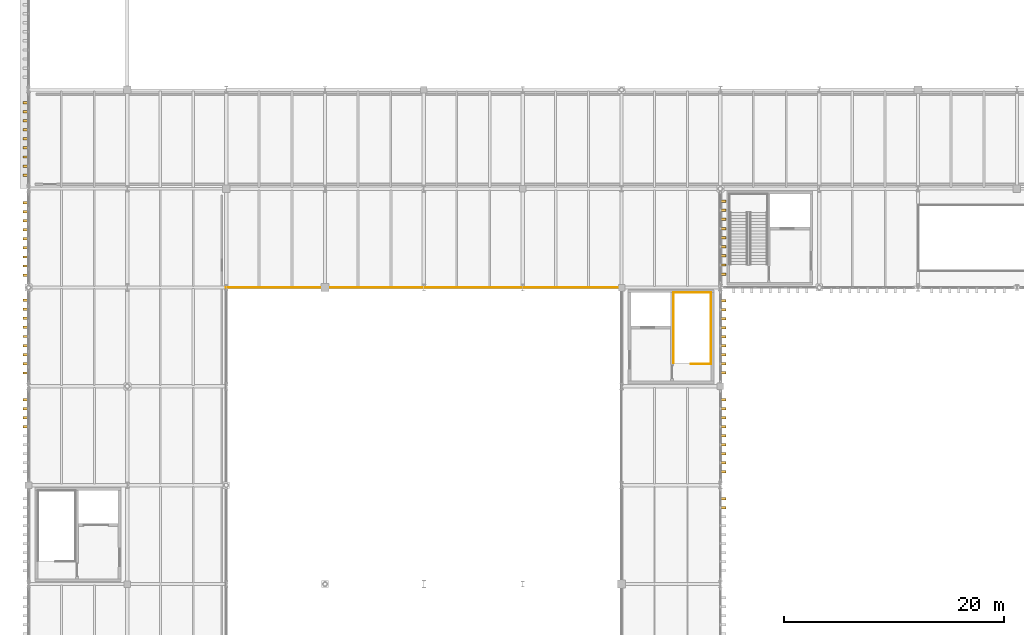
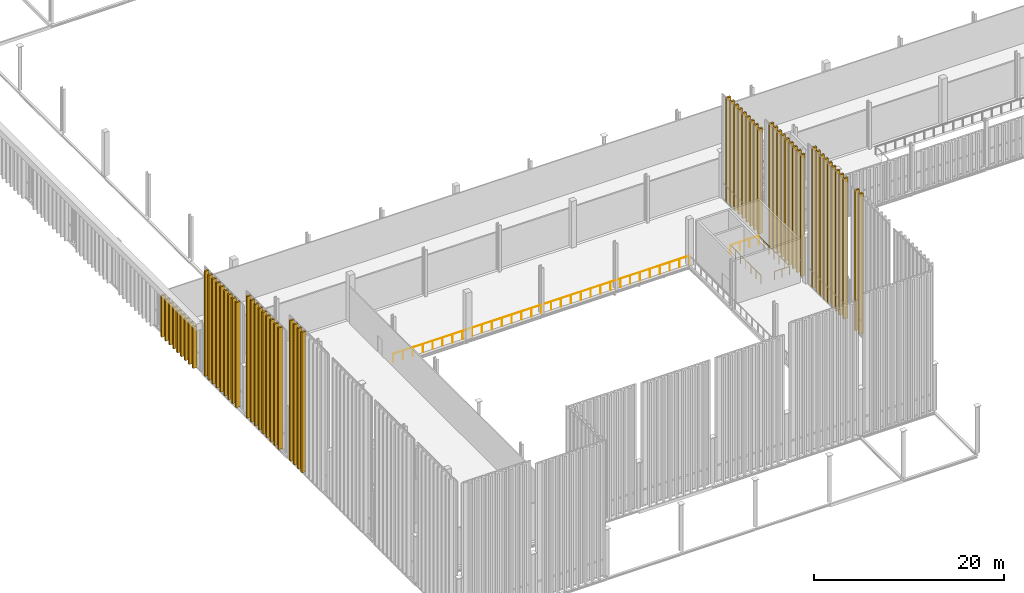
# One storey, part 214 of 237: 60 shading devices, 5 railings.
"""IFC4 building model written with IfcOpenShell, lengths in metres."""

from ifc_helpers import new_model, si_unit, direction, frame, origin, origin_2d, place, context, subcontext, project, spatial, rectangle, circle, extrude, material, type_object, element, save


model = new_model("IFC4")

# Units and contexts
model_context = context("Model", 3, precision=1e-05, world=origin(), true_north=direction((0.0, 1.0)))
body_context = subcontext(model_context, "Body", "Model", "MODEL_VIEW")
ifc_project = project(units=[si_unit("LENGTHUNIT", "METRE"), si_unit("AREAUNIT", "SQUARE_METRE"), si_unit("VOLUMEUNIT", "CUBIC_METRE"), si_unit("PLANEANGLEUNIT", "RADIAN"), si_unit("MASSUNIT", "GRAM", prefix="KILO")], contexts=[model_context])

# Site, building, storey
site_placement = place(None, origin())
site = spatial("IfcSite", under=ifc_project, at=site_placement, CompositionType="ELEMENT")
building_placement = place(site_placement, origin())
building = spatial("IfcBuilding", under=site, at=building_placement, Name="Barlavento Convention Centre", CompositionType="ELEMENT")
storey_placement = place(building_placement, frame((0.0, 0.0, 12.0)))
storey = spatial("IfcBuildingStorey", under=building, at=storey_placement, Name="L02", CompositionType="ELEMENT", Elevation=12.0)

# Railings
ifc_material_1 = material(Name="Stainless steel and laminated glass balustrade", Category="steel")
railing_type = type_object("IfcRailingType", Name="ARC-RAL-BAL-1100", PredefinedType="BALUSTRADE", material=ifc_material_1)
railing_1_placement = place(storey_placement, frame((62.14990234375, 38.0400390625, 0.0)))
element("IfcRailing", 1, at=railing_1_placement, inside=storey, type_object=railing_type, Name="L02 ST02 top well guard 1", PredefinedType="BALUSTRADE", context=body_context, shape_type="SweptSolid", body=[
    extrude(circle(Radius=0.02392578125, at=origin_2d()), frame((0.0, 0.0, 1.076171875), z_axis=(-1.0, 0.0, 0.0), x_axis=(0.0, -1.0, 0.0)), (0.0, 0.0, 1.0), 1.81982421875),
    extrude(circle(Radius=0.02099609375, at=origin_2d()), origin(), (0.0, 0.0, 1.0), 1.052001953125),
    extrude(circle(Radius=0.02099609375, at=origin_2d()), frame((-0.909912109375, 0.0, 0.0)), (0.0, 0.0, 1.0), 1.052001953125),
    extrude(circle(Radius=0.02099609375, at=origin_2d()), frame((-1.81982421875, 0.0, 0.0)), (0.0, 0.0, 1.0), 1.052001953125),
])
railing_2_placement = place(storey_placement, frame((62.14990234375, 38.114990234375, 0.0)))
element("IfcRailing", 2, at=railing_2_placement, inside=storey, type_object=railing_type, Name="L02 stairwell perimeter guard GR01", PredefinedType="BALUSTRADE", context=body_context, shape_type="SweptSolid", body=[
    extrude(circle(Radius=0.02392578125, at=origin_2d()), frame((0.0, 0.0, 1.076171875), z_axis=(0.0, 1.0, 0.0), x_axis=(-1.0, 0.0, 0.0)), (0.0, 0.0, 1.0), 6.4150390625),
    extrude(circle(Radius=0.02099609375, at=origin_2d()), origin(), (0.0, 0.0, 1.0), 1.052001953125),
    extrude(circle(Radius=0.02099609375, at=origin_2d()), frame((0.0, 1.069091796875, 0.0)), (0.0, 0.0, 1.0), 1.052001953125),
    extrude(circle(Radius=0.02099609375, at=origin_2d()), frame((0.0, 2.138427734375, 0.0)), (0.0, 0.0, 1.0), 1.052001953125),
    extrude(circle(Radius=0.02099609375, at=origin_2d()), frame((0.0, 3.20751953125, 0.0)), (0.0, 0.0, 1.0), 1.052001953125),
    extrude(circle(Radius=0.02099609375, at=origin_2d()), frame((0.0, 4.276611328125, 0.0)), (0.0, 0.0, 1.0), 1.052001953125),
    extrude(circle(Radius=0.02099609375, at=origin_2d()), frame((0.0, 5.345947265625, 0.0)), (0.0, 0.0, 1.0), 1.052001953125),
    extrude(circle(Radius=0.02099609375, at=origin_2d()), frame((0.0, 6.4150390625, 0.0)), (0.0, 0.0, 1.0), 1.052001953125),
])
railing_3_placement = place(storey_placement, frame((62.14990234375, 44.530029296875, 0.0)))
element("IfcRailing", 3, at=railing_3_placement, inside=storey, type_object=railing_type, Name="L02 stairwell perimeter guard GR01", PredefinedType="BALUSTRADE", context=body_context, shape_type="SweptSolid", body=[
    extrude(circle(Radius=0.02392578125, at=origin_2d()), frame((0.0, 0.0, 1.076171875), z_axis=(-1.0, 0.0, 0.0), x_axis=(0.0, -1.0, 0.0)), (0.0, 0.0, 1.0), 3.43994140625),
    extrude(circle(Radius=0.02099609375, at=origin_2d()), origin(), (0.0, 0.0, 1.0), 1.052001953125),
    extrude(circle(Radius=0.02099609375, at=origin_2d()), frame((-1.146728515625, 0.0, 0.0)), (0.0, 0.0, 1.0), 1.052001953125),
    extrude(circle(Radius=0.02099609375, at=origin_2d()), frame((-2.293212890625, 0.0, 0.0)), (0.0, 0.0, 1.0), 1.052001953125),
    extrude(circle(Radius=0.02099609375, at=origin_2d()), frame((-3.43994140625, 0.0, 0.0)), (0.0, 0.0, 1.0), 1.052001953125),
])
railing_4_placement = place(storey_placement, frame((58.7099609375, 44.530029296875, 0.0)))
element("IfcRailing", 4, at=railing_4_placement, inside=storey, type_object=railing_type, Name="L02 stairwell perimeter guard GR01", PredefinedType="BALUSTRADE", context=body_context, shape_type="SweptSolid", body=[
    extrude(circle(Radius=0.02392578125, at=origin_2d()), frame((0.0, 0.0, 1.076171875), z_axis=(0.0, -1.0, 0.0), x_axis=(1.0, 0.0, 0.0)), (0.0, 0.0, 1.0), 6.4150390625),
    extrude(circle(Radius=0.02099609375, at=origin_2d()), origin(), (0.0, 0.0, 1.0), 1.052001953125),
    extrude(circle(Radius=0.02099609375, at=origin_2d()), frame((0.0, -1.069091796875, 0.0)), (0.0, 0.0, 1.0), 1.052001953125),
    extrude(circle(Radius=0.02099609375, at=origin_2d()), frame((0.0, -2.138427734375, 0.0)), (0.0, 0.0, 1.0), 1.052001953125),
    extrude(circle(Radius=0.02099609375, at=origin_2d()), frame((0.0, -3.20751953125, 0.0)), (0.0, 0.0, 1.0), 1.052001953125),
    extrude(circle(Radius=0.02099609375, at=origin_2d()), frame((0.0, -4.276611328125, 0.0)), (0.0, 0.0, 1.0), 1.052001953125),
    extrude(circle(Radius=0.02099609375, at=origin_2d()), frame((0.0, -5.345947265625, 0.0)), (0.0, 0.0, 1.0), 1.052001953125),
    extrude(circle(Radius=0.02099609375, at=origin_2d()), frame((0.0, -6.4150390625, 0.0)), (0.0, 0.0, 1.0), 1.052001953125),
])
railing_5_placement = place(storey_placement, frame((18.0, 45.0, 0.0)))
element("IfcRailing", 5, at=railing_5_placement, inside=storey, type_object=railing_type, Name="L02 interior atrium or gallery balustrade GR01", PredefinedType="BALUSTRADE", context=body_context, shape_type="SweptSolid", body=[
    extrude(circle(Radius=0.02392578125, at=origin_2d()), frame((0.0, 0.0, 1.076171875), z_axis=(1.0, 0.0, 0.0), x_axis=(0.0, 1.0, 0.0)), (0.0, 0.0, 1.0), 36.0),
    extrude(circle(Radius=0.02099609375, at=origin_2d()), origin(), (0.0, 0.0, 1.0), 1.052001953125),
    extrude(circle(Radius=0.02099609375, at=origin_2d()), frame((1.199951171875, 0.0, 0.0)), (0.0, 0.0, 1.0), 1.052001953125),
    extrude(circle(Radius=0.02099609375, at=origin_2d()), frame((2.39990234375, 0.0, 0.0)), (0.0, 0.0, 1.0), 1.052001953125),
    extrude(circle(Radius=0.02099609375, at=origin_2d()), frame((3.60009765625, 0.0, 0.0)), (0.0, 0.0, 1.0), 1.052001953125),
    extrude(circle(Radius=0.02099609375, at=origin_2d()), frame((4.800048828125, 0.0, 0.0)), (0.0, 0.0, 1.0), 1.052001953125),
    extrude(circle(Radius=0.02099609375, at=origin_2d()), frame((6.0, 0.0, 0.0)), (0.0, 0.0, 1.0), 1.052001953125),
    extrude(circle(Radius=0.02099609375, at=origin_2d()), frame((7.199951171875, 0.0, 0.0)), (0.0, 0.0, 1.0), 1.052001953125),
    extrude(circle(Radius=0.02099609375, at=origin_2d()), frame((8.39990234375, 0.0, 0.0)), (0.0, 0.0, 1.0), 1.052001953125),
    extrude(circle(Radius=0.02099609375, at=origin_2d()), frame((9.60009765625, 0.0, 0.0)), (0.0, 0.0, 1.0), 1.052001953125),
    extrude(circle(Radius=0.02099609375, at=origin_2d()), frame((10.800048828125, 0.0, 0.0)), (0.0, 0.0, 1.0), 1.052001953125),
    extrude(circle(Radius=0.02099609375, at=origin_2d()), frame((12.0, 0.0, 0.0)), (0.0, 0.0, 1.0), 1.052001953125),
    extrude(circle(Radius=0.02099609375, at=origin_2d()), frame((13.199951171875, 0.0, 0.0)), (0.0, 0.0, 1.0), 1.052001953125),
    extrude(circle(Radius=0.02099609375, at=origin_2d()), frame((14.39990234375, 0.0, 0.0)), (0.0, 0.0, 1.0), 1.052001953125),
    extrude(circle(Radius=0.02099609375, at=origin_2d()), frame((15.60009765625, 0.0, 0.0)), (0.0, 0.0, 1.0), 1.052001953125),
    extrude(circle(Radius=0.02099609375, at=origin_2d()), frame((16.800048828125, 0.0, 0.0)), (0.0, 0.0, 1.0), 1.052001953125),
    extrude(circle(Radius=0.02099609375, at=origin_2d()), frame((18.0, 0.0, 0.0)), (0.0, 0.0, 1.0), 1.052001953125),
    extrude(circle(Radius=0.02099609375, at=origin_2d()), frame((19.199951171875, 0.0, 0.0)), (0.0, 0.0, 1.0), 1.052001953125),
    extrude(circle(Radius=0.02099609375, at=origin_2d()), frame((20.39990234375, 0.0, 0.0)), (0.0, 0.0, 1.0), 1.052001953125),
    extrude(circle(Radius=0.02099609375, at=origin_2d()), frame((21.60009765625, 0.0, 0.0)), (0.0, 0.0, 1.0), 1.052001953125),
    extrude(circle(Radius=0.02099609375, at=origin_2d()), frame((22.800048828125, 0.0, 0.0)), (0.0, 0.0, 1.0), 1.052001953125),
    extrude(circle(Radius=0.02099609375, at=origin_2d()), frame((24.0, 0.0, 0.0)), (0.0, 0.0, 1.0), 1.052001953125),
    extrude(circle(Radius=0.02099609375, at=origin_2d()), frame((25.199951171875, 0.0, 0.0)), (0.0, 0.0, 1.0), 1.052001953125),
    extrude(circle(Radius=0.02099609375, at=origin_2d()), frame((26.39990234375, 0.0, 0.0)), (0.0, 0.0, 1.0), 1.052001953125),
    extrude(circle(Radius=0.02099609375, at=origin_2d()), frame((27.60009765625, 0.0, 0.0)), (0.0, 0.0, 1.0), 1.052001953125),
    extrude(circle(Radius=0.02099609375, at=origin_2d()), frame((28.800048828125, 0.0, 0.0)), (0.0, 0.0, 1.0), 1.052001953125),
    extrude(circle(Radius=0.02099609375, at=origin_2d()), frame((30.0, 0.0, 0.0)), (0.0, 0.0, 1.0), 1.052001953125),
    extrude(circle(Radius=0.02099609375, at=origin_2d()), frame((31.199951171875, 0.0, 0.0)), (0.0, 0.0, 1.0), 1.052001953125),
    extrude(circle(Radius=0.02099609375, at=origin_2d()), frame((32.39990234375, 0.0, 0.0)), (0.0, 0.0, 1.0), 1.052001953125),
    extrude(circle(Radius=0.02099609375, at=origin_2d()), frame((33.60009765625, 0.0, 0.0)), (0.0, 0.0, 1.0), 1.052001953125),
    extrude(circle(Radius=0.02099609375, at=origin_2d()), frame((34.800048828125, 0.0, 0.0)), (0.0, 0.0, 1.0), 1.052001953125),
    extrude(circle(Radius=0.02099609375, at=origin_2d()), frame((36.0, 0.0, 0.0)), (0.0, 0.0, 1.0), 1.052001953125),
])

# Shading devices
ifc_material_2 = material(Name="PVDF white extruded aluminium", Category="aluminium")
shading_device_type = type_object("IfcShadingDeviceType", Name="ARC-SHD-FIN-480", PredefinedType="USERDEFINED", material=ifc_material_2)
for number, where, z_axis, x_axis, name in (
    (6, (-0.239990234375, 32.327392578125, 0.0), (0.0, 0.0, 1.0), (0.0, 1.0, 0.0), "White vertical solar shading fin VF01"),
    (7, (-0.239990234375, 33.147705078125, 0.0), (0.0, 0.0, 1.0), (0.0, 1.0, 0.0), "White vertical solar shading fin VF01"),
    (8, (-0.239990234375, 33.96826171875, 0.0), (0.0, 0.0, 1.0), (0.0, 1.0, 0.0), "White vertical solar shading fin VF01"),
    (9, (-0.239990234375, 34.78857421875, 0.0), (0.0, 0.0, 1.0), (0.0, 1.0, 0.0), "White vertical solar shading fin VF01"),
):
    element("IfcShadingDevice", number, at=place(storey_placement, frame(where, z_axis=z_axis, x_axis=x_axis)), inside=storey, type_object=shading_device_type, Name=name, ObjectType="FIN", PredefinedType="USERDEFINED", context=body_context, shape_type="SweptSolid", body=[
        extrude(rectangle(XDim=0.219970703125, YDim=0.52001953125, at=origin_2d()), origin(), (0.0, 0.0, 1.0), 18.037109375),
    ])
for number, where, z_axis, x_axis, name in (
    (10, (-0.239990234375, 37.22119140625, 0.0), (0.0, 0.0, 1.0), (0.0, 1.0, 0.0), "White vertical solar shading fin VF01"),
    (11, (-0.239990234375, 38.05126953125, 0.0), (0.0, 0.0, 1.0), (0.0, 1.0, 0.0), "White vertical solar shading fin VF01"),
    (12, (-0.239990234375, 38.881103515625, 0.0), (0.0, 0.0, 1.0), (0.0, 1.0, 0.0), "White vertical solar shading fin VF01"),
    (13, (-0.239990234375, 39.711181640625, 0.0), (0.0, 0.0, 1.0), (0.0, 1.0, 0.0), "White vertical solar shading fin VF01"),
    (14, (-0.239990234375, 40.54150390625, 0.0), (0.0, 0.0, 1.0), (0.0, 1.0, 0.0), "White vertical solar shading fin VF01"),
    (15, (-0.239990234375, 41.37158203125, 0.0), (0.0, 0.0, 1.0), (0.0, 1.0, 0.0), "White vertical solar shading fin VF01"),
    (16, (-0.239990234375, 42.20166015625, 0.0), (0.0, 0.0, 1.0), (0.0, 1.0, 0.0), "White vertical solar shading fin VF01"),
    (17, (-0.239990234375, 43.031494140625, 0.0), (0.0, 0.0, 1.0), (0.0, 1.0, 0.0), "White vertical solar shading fin VF01"),
    (18, (-0.239990234375, 43.86181640625, 0.0), (0.0, 0.0, 1.0), (0.0, 1.0, 0.0), "White vertical solar shading fin VF01"),
):
    element("IfcShadingDevice", number, at=place(storey_placement, frame(where, z_axis=z_axis, x_axis=x_axis)), inside=storey, type_object=shading_device_type, Name=name, ObjectType="FIN", PredefinedType="USERDEFINED", context=body_context, shape_type="SweptSolid", body=[
        extrude(rectangle(XDim=0.219970703125, YDim=0.52001953125, at=origin_2d()), origin(), (0.0, 0.0, 1.0), 15.64111328125),
    ])
for number, where, z_axis, x_axis, name in (
    (19, (-0.239990234375, 46.133544921875, 0.0), (0.0, 0.0, 1.0), (0.0, 1.0, 0.0), "White vertical solar shading fin VF01"),
    (20, (-0.239990234375, 46.958740234375, 0.0), (0.0, 0.0, 1.0), (0.0, 1.0, 0.0), "White vertical solar shading fin VF01"),
    (21, (-0.239990234375, 47.783935546875, 0.0), (0.0, 0.0, 1.0), (0.0, 1.0, 0.0), "White vertical solar shading fin VF01"),
    (22, (-0.239990234375, 48.609375, 0.0), (0.0, 0.0, 1.0), (0.0, 1.0, 0.0), "White vertical solar shading fin VF01"),
    (23, (-0.239990234375, 49.4345703125, 0.0), (0.0, 0.0, 1.0), (0.0, 1.0, 0.0), "White vertical solar shading fin VF01"),
    (24, (-0.239990234375, 50.260009765625, 0.0), (0.0, 0.0, 1.0), (0.0, 1.0, 0.0), "White vertical solar shading fin VF01"),
    (25, (-0.239990234375, 51.085205078125, 0.0), (0.0, 0.0, 1.0), (0.0, 1.0, 0.0), "White vertical solar shading fin VF01"),
    (26, (-0.239990234375, 51.910400390625, 0.0), (0.0, 0.0, 1.0), (0.0, 1.0, 0.0), "White vertical solar shading fin VF01"),
    (27, (-0.239990234375, 52.735595703125, 0.0), (0.0, 0.0, 1.0), (0.0, 1.0, 0.0), "White vertical solar shading fin VF01"),
):
    element("IfcShadingDevice", number, at=place(storey_placement, frame(where, z_axis=z_axis, x_axis=x_axis)), inside=storey, type_object=shading_device_type, Name=name, ObjectType="FIN", PredefinedType="USERDEFINED", context=body_context, shape_type="SweptSolid", body=[
        extrude(rectangle(XDim=0.219970703125, YDim=0.52001953125, at=origin_2d()), origin(), (0.0, 0.0, 1.0), 13.5029296875),
    ])
for number, where, z_axis, x_axis, name in (
    (28, (63.239990234375, 24.958984375, 0.0), (0.0, 0.0, 1.0), (0.0, 1.0, 0.0), "White vertical solar shading fin VF01"),
    (29, (63.239990234375, 25.777099609375, 0.0), (0.0, 0.0, 1.0), (0.0, 1.0, 0.0), "White vertical solar shading fin VF01"),
    (30, (63.239990234375, 28.22412109375, 0.0), (0.0, 0.0, 1.0), (0.0, 1.0, 0.0), "White vertical solar shading fin VF01"),
    (31, (63.239990234375, 29.04296875, 0.0), (0.0, 0.0, 1.0), (0.0, 1.0, 0.0), "White vertical solar shading fin VF01"),
    (32, (63.239990234375, 29.862060546875, 0.0), (0.0, 0.0, 1.0), (0.0, 1.0, 0.0), "White vertical solar shading fin VF01"),
    (33, (63.239990234375, 30.680908203125, 0.0), (0.0, 0.0, 1.0), (0.0, 1.0, 0.0), "White vertical solar shading fin VF01"),
    (34, (63.239990234375, 31.5, 0.0), (0.0, 0.0, 1.0), (0.0, 1.0, 0.0), "White vertical solar shading fin VF01"),
    (35, (63.239990234375, 32.319091796875, 0.0), (0.0, 0.0, 1.0), (0.0, 1.0, 0.0), "White vertical solar shading fin VF01"),
    (36, (63.239990234375, 33.137939453125, 0.0), (0.0, 0.0, 1.0), (0.0, 1.0, 0.0), "White vertical solar shading fin VF01"),
    (37, (63.239990234375, 33.95703125, 0.0), (0.0, 0.0, 1.0), (0.0, 1.0, 0.0), "White vertical solar shading fin VF01"),
    (38, (63.239990234375, 34.77587890625, 0.0), (0.0, 0.0, 1.0), (0.0, 1.0, 0.0), "White vertical solar shading fin VF01"),
):
    element("IfcShadingDevice", number, at=place(storey_placement, frame(where, z_axis=z_axis, x_axis=x_axis)), inside=storey, type_object=shading_device_type, Name=name, ObjectType="FIN", PredefinedType="USERDEFINED", context=body_context, shape_type="SweptSolid", body=[
        extrude(rectangle(XDim=0.219970703125, YDim=0.52001953125, at=origin_2d()), origin(), (0.0, 0.0, 1.0), 18.037109375),
    ])
for number, where, z_axis, x_axis, name in (
    (39, (63.239990234375, 37.225341796875, 0.0), (0.0, 0.0, 1.0), (0.0, 1.0, 0.0), "White vertical solar shading fin VF01"),
    (40, (63.239990234375, 38.0458984375, 0.0), (0.0, 0.0, 1.0), (0.0, 1.0, 0.0), "White vertical solar shading fin VF01"),
    (41, (63.239990234375, 38.8662109375, 0.0), (0.0, 0.0, 1.0), (0.0, 1.0, 0.0), "White vertical solar shading fin VF01"),
    (42, (63.239990234375, 39.6865234375, 0.0), (0.0, 0.0, 1.0), (0.0, 1.0, 0.0), "White vertical solar shading fin VF01"),
    (43, (63.239990234375, 40.507080078125, 0.0), (0.0, 0.0, 1.0), (0.0, 1.0, 0.0), "White vertical solar shading fin VF01"),
    (44, (63.239990234375, 41.327392578125, 0.0), (0.0, 0.0, 1.0), (0.0, 1.0, 0.0), "White vertical solar shading fin VF01"),
    (45, (63.239990234375, 42.147705078125, 0.0), (0.0, 0.0, 1.0), (0.0, 1.0, 0.0), "White vertical solar shading fin VF01"),
    (46, (63.239990234375, 42.96826171875, 0.0), (0.0, 0.0, 1.0), (0.0, 1.0, 0.0), "White vertical solar shading fin VF01"),
    (47, (63.239990234375, 43.78857421875, 0.0), (0.0, 0.0, 1.0), (0.0, 1.0, 0.0), "White vertical solar shading fin VF01"),
):
    element("IfcShadingDevice", number, at=place(storey_placement, frame(where, z_axis=z_axis, x_axis=x_axis)), inside=storey, type_object=shading_device_type, Name=name, ObjectType="FIN", PredefinedType="USERDEFINED", context=body_context, shape_type="SweptSolid", body=[
        extrude(rectangle(XDim=0.219970703125, YDim=0.52001953125, at=origin_2d()), origin(), (0.0, 0.0, 1.0), 15.64111328125),
    ])
for number, where, z_axis, x_axis, name in (
    (48, (63.239990234375, 46.22119140625, 0.0), (0.0, 0.0, 1.0), (0.0, 1.0, 0.0), "White vertical solar shading fin VF01"),
    (49, (63.239990234375, 47.05126953125, 0.0), (0.0, 0.0, 1.0), (0.0, 1.0, 0.0), "White vertical solar shading fin VF01"),
    (50, (63.239990234375, 47.881103515625, 0.0), (0.0, 0.0, 1.0), (0.0, 1.0, 0.0), "White vertical solar shading fin VF01"),
    (51, (63.239990234375, 48.711181640625, 0.0), (0.0, 0.0, 1.0), (0.0, 1.0, 0.0), "White vertical solar shading fin VF01"),
    (52, (63.239990234375, 49.54150390625, 0.0), (0.0, 0.0, 1.0), (0.0, 1.0, 0.0), "White vertical solar shading fin VF01"),
    (53, (63.239990234375, 50.37158203125, 0.0), (0.0, 0.0, 1.0), (0.0, 1.0, 0.0), "White vertical solar shading fin VF01"),
    (54, (63.239990234375, 51.20166015625, 0.0), (0.0, 0.0, 1.0), (0.0, 1.0, 0.0), "White vertical solar shading fin VF01"),
    (55, (63.239990234375, 52.031494140625, 0.0), (0.0, 0.0, 1.0), (0.0, 1.0, 0.0), "White vertical solar shading fin VF01"),
    (56, (63.239990234375, 52.86181640625, 0.0), (0.0, 0.0, 1.0), (0.0, 1.0, 0.0), "White vertical solar shading fin VF01"),
):
    element("IfcShadingDevice", number, at=place(storey_placement, frame(where, z_axis=z_axis, x_axis=x_axis)), inside=storey, type_object=shading_device_type, Name=name, ObjectType="FIN", PredefinedType="USERDEFINED", context=body_context, shape_type="SweptSolid", body=[
        extrude(rectangle(XDim=0.219970703125, YDim=0.52001953125, at=origin_2d()), origin(), (0.0, 0.0, 1.0), 13.5029296875),
    ])
for number, where, z_axis, x_axis, name in (
    (57, (-0.239990234375, 55.23828125, -0.5), (0.0, 0.0, 1.0), (0.0, 1.0, 0.0), "White vertical solar shading fin VF01"),
    (58, (-0.239990234375, 56.062744140625, -0.5), (0.0, 0.0, 1.0), (0.0, 1.0, 0.0), "White vertical solar shading fin VF01"),
    (59, (-0.239990234375, 56.88720703125, -0.5), (0.0, 0.0, 1.0), (0.0, 1.0, 0.0), "White vertical solar shading fin VF01"),
    (60, (-0.239990234375, 57.711669921875, -0.5), (0.0, 0.0, 1.0), (0.0, 1.0, 0.0), "White vertical solar shading fin VF01"),
    (61, (-0.239990234375, 58.535888671875, -0.5), (0.0, 0.0, 1.0), (0.0, 1.0, 0.0), "White vertical solar shading fin VF01"),
    (62, (-0.239990234375, 59.3603515625, -0.5), (0.0, 0.0, 1.0), (0.0, 1.0, 0.0), "White vertical solar shading fin VF01"),
    (63, (-0.239990234375, 60.184814453125, -0.5), (0.0, 0.0, 1.0), (0.0, 1.0, 0.0), "White vertical solar shading fin VF01"),
    (64, (-0.239990234375, 61.00927734375, -0.5), (0.0, 0.0, 1.0), (0.0, 1.0, 0.0), "White vertical solar shading fin VF01"),
    (65, (-0.239990234375, 61.83349609375, -0.5), (0.0, 0.0, 1.0), (0.0, 1.0, 0.0), "White vertical solar shading fin VF01"),
):
    element("IfcShadingDevice", number, at=place(storey_placement, frame(where, z_axis=z_axis, x_axis=x_axis)), inside=storey, type_object=shading_device_type, Name=name, ObjectType="FIN", PredefinedType="USERDEFINED", context=body_context, shape_type="SweptSolid", body=[
        extrude(rectangle(XDim=0.219970703125, YDim=0.52001953125, at=origin_2d()), origin(), (0.0, 0.0, 1.0), 5.35009765625),
    ])

save(model, "model.ifc")
